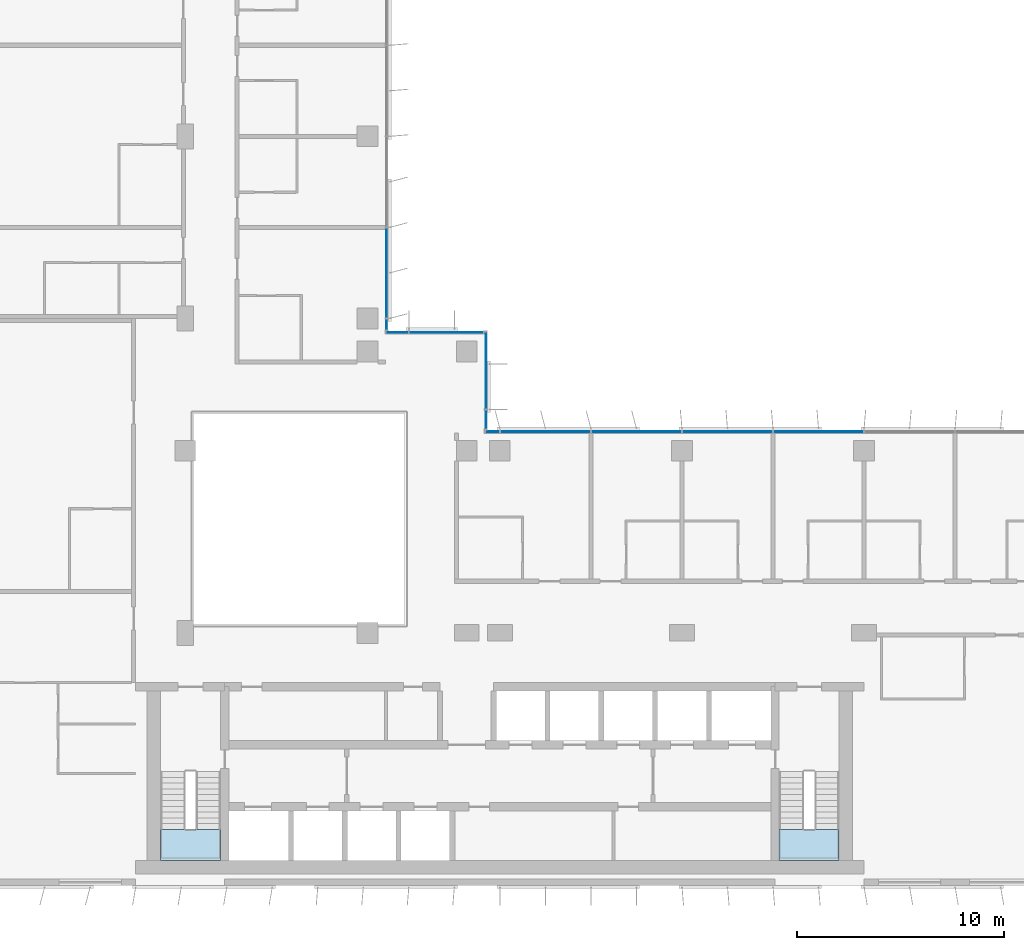
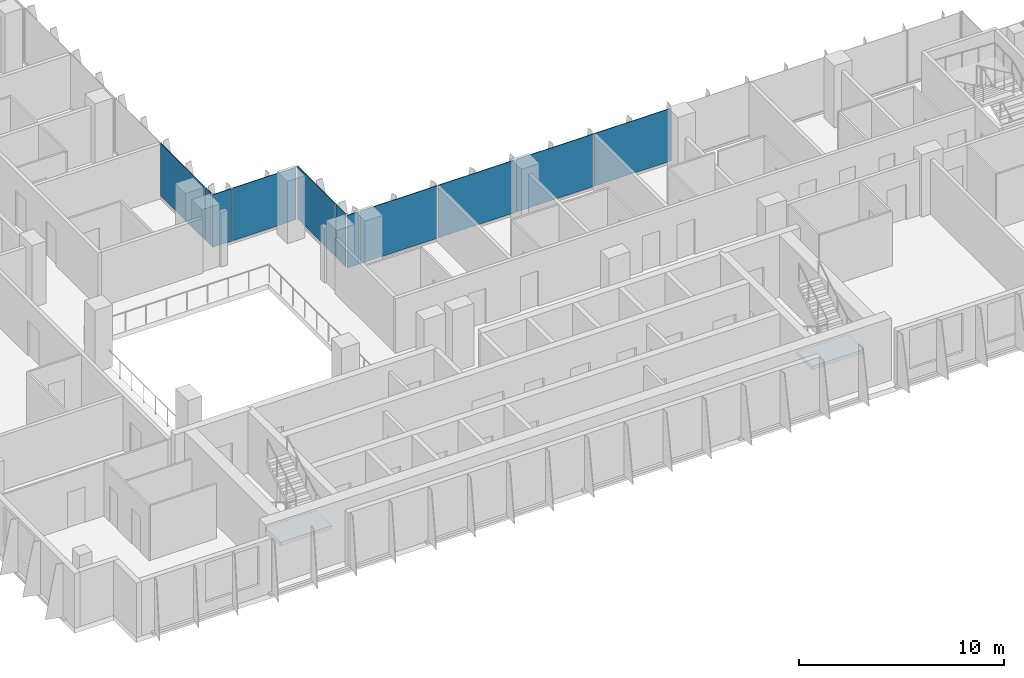
# One storey, part 10 of 21: 11 plates, 2 slabs, 6 elements without a shape of their own.
"""IFC4 building model written with IfcOpenShell, lengths in metres."""

from ifc_helpers import new_model, si_unit, direction, frame, origin, origin_2d, place, context, subcontext, project, spatial, polyline, rectangle, outline, extrude, source, transform, mapped, material, layer, layer_set, type_object, element, aggregate, save


model = new_model("IFC4")

# Units and contexts
model_context = context("Model", 3, precision=1e-05, world=origin(), true_north=direction((0.0, 1.0)))
body_context = subcontext(model_context, "Body", "Model", "MODEL_VIEW")
ifc_project = project(units=[si_unit("LENGTHUNIT", "METRE"), si_unit("AREAUNIT", "SQUARE_METRE"), si_unit("VOLUMEUNIT", "CUBIC_METRE"), si_unit("PLANEANGLEUNIT", "RADIAN"), si_unit("MASSUNIT", "GRAM", prefix="KILO")], contexts=[model_context])

# Site, building, storey
site_placement = place(None, origin())
site = spatial("IfcSite", under=ifc_project, at=site_placement, CompositionType="ELEMENT")
building_placement = place(site_placement, origin())
building = spatial("IfcBuilding", under=site, at=building_placement, Name="Kemantara Hotel Tower", CompositionType="ELEMENT")
storey_placement = place(building_placement, frame((0.0, 0.0, 219.10009765625)))
storey = spatial("IfcBuildingStorey", under=building, at=storey_placement, Name="L54", CompositionType="ELEMENT", Elevation=219.10009765625)

# Stair, slab
ifc_material_1 = material(Name="Concrete fc 40 MPa", Category="concrete")
stair_type = type_object("IfcStairType", Name="Stair 1200 wide 22 risers of 168 x 280 mm", PredefinedType="HALF_TURN_STAIR", material=ifc_material_1)
stair_1_placement = place(storey_placement, origin())
stair_1 = element("IfcStair", 1, at=stair_1_placement, inside=storey, type_object=stair_type, Name="L54 Exit stair ST1", PredefinedType="HALF_TURN_STAIR")
ifc_layer_1 = layer(ifc_material_1, 0.199951171875)
ifc_layer_set_1 = layer_set([ifc_layer_1], Name="Concrete fc 40 MPa")
slab_type = type_object("IfcSlabType", Name="Stair landing 200 mm", PredefinedType="LANDING", material=ifc_layer_set_1)
slab_1_placement = place(storey_placement, frame((0.0, 0.0, 1.64990234375)))
slab_1 = element("IfcSlab", 2, at=slab_1_placement, type_object=slab_type, Name="ST1 landing 1", PredefinedType="LANDING", context=body_context, shape_type="SweptSolid", body=[
    extrude(outline(polyline([(11.0, 2.699951171875), (11.0, 1.199951171875), (13.89990234375, 1.199951171875), (13.89990234375, 2.699951171875), (11.0, 2.699951171875)])), origin(), (0.0, 0.0, 1.0), 0.199951171875),
])
aggregate(stair_1, [slab_1])

stair_2_placement = place(storey_placement, origin())
stair_2 = element("IfcStair", 3, at=stair_2_placement, inside=storey, type_object=stair_type, Name="L54 Exit stair ST2", PredefinedType="HALF_TURN_STAIR")
slab_2_placement = place(storey_placement, frame((0.0, 0.0, 1.64990234375)))
slab_2 = element("IfcSlab", 4, at=slab_2_placement, type_object=slab_type, Name="ST2 landing 1", PredefinedType="LANDING", context=body_context, shape_type="SweptSolid", body=[
    extrude(outline(polyline([(40.89990234375, 2.699951171875), (40.89990234375, 1.199951171875), (43.800048828125, 1.199951171875), (43.800048828125, 2.699951171875), (40.89990234375, 2.699951171875)])), origin(), (0.0, 0.0, 1.0), 0.199951171875),
])
aggregate(stair_2, [slab_2])

# Curtain wall, plates
ifc_material_2 = material(Name="Low-E tinted double insulated glass 36 mm", Category="glass")
curtain_wall_type = type_object("IfcCurtainWallType", Name="TOWER CURTAIN WALL, FRONT FACES", PredefinedType="USERDEFINED", material=ifc_material_2)
curtain_wall_1_placement = place(storey_placement, origin())
curtain_wall_1 = element("IfcCurtainWall", 5, at=curtain_wall_1_placement, inside=storey, type_object=curtain_wall_type, Name="CW4 L54 T3-R14-1", ObjectType="TOWER CURTAIN WALL, FRONT FACES", PredefinedType="USERDEFINED")
ifc_layer_2 = layer(ifc_material_2, 0.035888671875)
ifc_layer_set_2 = layer_set([ifc_layer_2], Name="Low-E tinted double insulated glass 36 mm")
plate_type = type_object("IfcPlateType", Name="TOWER CURTAIN WALL, FRONT FACES PANEL", PredefinedType="CURTAIN_PANEL", material=ifc_layer_set_2)
shared_shape_1 = source(origin(), body_context, "Body", "SweptSolid", [
    extrude(rectangle(XDim=4.340087890625, YDim=0.035888671875, at=origin_2d()), origin(), (0.0, 0.0, 1.0), 3.1298828125),
])
plate_1_placement = place(storey_placement, frame((42.800048828125, 21.925048828125, 0.119873046875), z_axis=(0.0, 0.0, 1.0), x_axis=(-1.0, 0.0, 0.0)))
plate_1 = element("IfcPlate", 6, at=plate_1_placement, type_object=plate_type, Name="CW4 glass panel T3-R14-1.5", PredefinedType="CURTAIN_PANEL", context=body_context, shape_type="MappedRepresentation", body=[
    mapped(shared_shape_1, transform((0.0, 0.0, 0.0))),
])
plate_2_placement = place(storey_placement, frame((38.39990234375, 21.925048828125, 0.119873046875), z_axis=(0.0, 0.0, 1.0), x_axis=(-1.0, 0.0, 0.0)))
plate_2 = element("IfcPlate", 7, at=plate_2_placement, type_object=plate_type, Name="CW4 glass panel T3-R14-1.6", PredefinedType="CURTAIN_PANEL", context=body_context, shape_type="MappedRepresentation", body=[
    mapped(shared_shape_1, transform((0.0, 0.0, 0.0))),
])
plate_3_placement = place(storey_placement, frame((34.0, 21.925048828125, 0.119873046875), z_axis=(0.0, 0.0, 1.0), x_axis=(-1.0, 0.0, 0.0)))
plate_3 = element("IfcPlate", 8, at=plate_3_placement, type_object=plate_type, Name="CW4 glass panel T3-R14-1.7", PredefinedType="CURTAIN_PANEL", context=body_context, shape_type="MappedRepresentation", body=[
    mapped(shared_shape_1, transform((0.0, 0.0, 0.0))),
])
plate_4_placement = place(storey_placement, frame((29.60009765625, 21.925048828125, 0.119873046875), z_axis=(0.0, 0.0, 1.0), x_axis=(-1.0, 0.0, 0.0)))
plate_4 = element("IfcPlate", 9, at=plate_4_placement, type_object=plate_type, Name="CW4 glass panel T3-R14-1.8", PredefinedType="CURTAIN_PANEL", context=body_context, shape_type="MappedRepresentation", body=[
    mapped(shared_shape_1, transform((0.0, 0.0, 0.0))),
])

# Curtain wall, plate
curtain_wall_2_placement = place(storey_placement, origin())
curtain_wall_2 = element("IfcCurtainWall", 10, at=curtain_wall_2_placement, inside=storey, type_object=curtain_wall_type, Name="CW4 L54 T3-R17-1", ObjectType="TOWER CURTAIN WALL, FRONT FACES", PredefinedType="USERDEFINED")
plate_5_placement = place(storey_placement, frame((21.925048828125, 29.60009765625, 0.119873046875), z_axis=(0.0, 0.0, 1.0), x_axis=(0.0, 1.0, 0.0)))
plate_5 = element("IfcPlate", 11, at=plate_5_placement, type_object=plate_type, Name="CW4 glass panel T3-R17-1.2", PredefinedType="CURTAIN_PANEL", context=body_context, shape_type="MappedRepresentation", body=[
    mapped(shared_shape_1, transform((0.0, 0.0, 0.0))),
])

# Plate
shared_shape_2 = source(origin(), body_context, "Body", "SweptSolid", [
    extrude(rectangle(XDim=0.659912109375, YDim=0.035888671875, at=origin_2d()), origin(), (0.0, 0.0, 1.0), 3.1298828125),
])
plate_6_placement = place(storey_placement, frame((27.0400390625, 21.925048828125, 0.119873046875), z_axis=(0.0, 0.0, 1.0), x_axis=(-1.0, 0.0, 0.0)))
plate_6 = element("IfcPlate", 12, at=plate_6_placement, type_object=plate_type, Name="CW4 glass panel T3-R14-1.9", PredefinedType="CURTAIN_PANEL", context=body_context, shape_type="MappedRepresentation", body=[
    mapped(shared_shape_2, transform((0.0, 0.0, 0.0))),
])

aggregate(curtain_wall_1, [plate_1, plate_2, plate_3, plate_4, plate_6])

shared_shape_3 = source(origin(), body_context, "Body", "SweptSolid", [
    extrude(rectangle(XDim=0.510009765625, YDim=0.035888671875, at=origin_2d()), origin(), (0.0, 0.0, 1.0), 3.1298828125),
])
plate_7_placement = place(storey_placement, frame((21.925048828125, 27.114990234375, 0.119873046875), z_axis=(0.0, 0.0, 1.0), x_axis=(0.0, 1.0, 0.0)))
plate_7 = element("IfcPlate", 13, at=plate_7_placement, type_object=plate_type, Name="CW4 glass panel T3-R17-1.1", PredefinedType="CURTAIN_PANEL", context=body_context, shape_type="MappedRepresentation", body=[
    mapped(shared_shape_3, transform((0.0, 0.0, 0.0))),
])

aggregate(curtain_wall_2, [plate_7, plate_5])

# Curtain wall, plates
curtain_wall_3_placement = place(storey_placement, origin())
curtain_wall_3 = element("IfcCurtainWall", 14, at=curtain_wall_3_placement, inside=storey, type_object=curtain_wall_type, Name="CW4 L54 T3-R15-1", ObjectType="TOWER CURTAIN WALL, FRONT FACES", PredefinedType="USERDEFINED")
shared_shape_4 = source(origin(), body_context, "Body", "SweptSolid", [
    extrude(rectangle(XDim=0.909912109375, YDim=0.035888671875, at=origin_2d()), origin(), (0.0, 0.0, 1.0), 3.1298828125),
])
plate_8_placement = place(storey_placement, frame((26.72509765625, 22.514892578125, 0.119873046875), z_axis=(0.0, 0.0, 1.0), x_axis=(0.0, 1.0, 0.0)))
plate_8 = element("IfcPlate", 15, at=plate_8_placement, type_object=plate_type, Name="CW4 glass panel T3-R15-1.1", PredefinedType="CURTAIN_PANEL", context=body_context, shape_type="MappedRepresentation", body=[
    mapped(shared_shape_4, transform((0.0, 0.0, 0.0))),
])
shared_shape_5 = source(origin(), body_context, "Body", "SweptSolid", [
    extrude(rectangle(XDim=3.7099609375, YDim=0.035888671875, at=origin_2d()), origin(), (0.0, 0.0, 1.0), 3.1298828125),
])
plate_9_placement = place(storey_placement, frame((26.72509765625, 24.885009765625, 0.119873046875), z_axis=(0.0, 0.0, 1.0), x_axis=(0.0, 1.0, 0.0)))
plate_9 = element("IfcPlate", 16, at=plate_9_placement, type_object=plate_type, Name="CW4 glass panel T3-R15-1.2", PredefinedType="CURTAIN_PANEL", context=body_context, shape_type="MappedRepresentation", body=[
    mapped(shared_shape_5, transform((0.0, 0.0, 0.0))),
])
aggregate(curtain_wall_3, [plate_8, plate_9])

curtain_wall_4_placement = place(storey_placement, origin())
curtain_wall_4 = element("IfcCurtainWall", 17, at=curtain_wall_4_placement, inside=storey, type_object=curtain_wall_type, Name="CW4 L54 T3-R16-1", ObjectType="TOWER CURTAIN WALL, FRONT FACES", PredefinedType="USERDEFINED")
shared_shape_6 = source(origin(), body_context, "Body", "SweptSolid", [
    extrude(rectangle(XDim=3.56005859375, YDim=0.035888671875, at=origin_2d()), origin(), (0.0, 0.0, 1.0), 3.1298828125),
])
plate_10_placement = place(storey_placement, frame((24.81005859375, 26.72509765625, 0.119873046875), z_axis=(0.0, 0.0, 1.0), x_axis=(-1.0, 0.0, 0.0)))
plate_10 = element("IfcPlate", 18, at=plate_10_placement, type_object=plate_type, Name="CW4 glass panel T3-R16-1.1", PredefinedType="CURTAIN_PANEL", context=body_context, shape_type="MappedRepresentation", body=[
    mapped(shared_shape_6, transform((0.0, 0.0, 0.0))),
])
shared_shape_7 = source(origin(), body_context, "Body", "SweptSolid", [
    extrude(rectangle(XDim=1.06005859375, YDim=0.035888671875, at=origin_2d()), origin(), (0.0, 0.0, 1.0), 3.1298828125),
])
plate_11_placement = place(storey_placement, frame((22.43994140625, 26.72509765625, 0.119873046875), z_axis=(0.0, 0.0, 1.0), x_axis=(-1.0, 0.0, 0.0)))
plate_11 = element("IfcPlate", 19, at=plate_11_placement, type_object=plate_type, Name="CW4 glass panel T3-R16-1.2", PredefinedType="CURTAIN_PANEL", context=body_context, shape_type="MappedRepresentation", body=[
    mapped(shared_shape_7, transform((0.0, 0.0, 0.0))),
])
aggregate(curtain_wall_4, [plate_10, plate_11])

save(model, "model.ifc")
